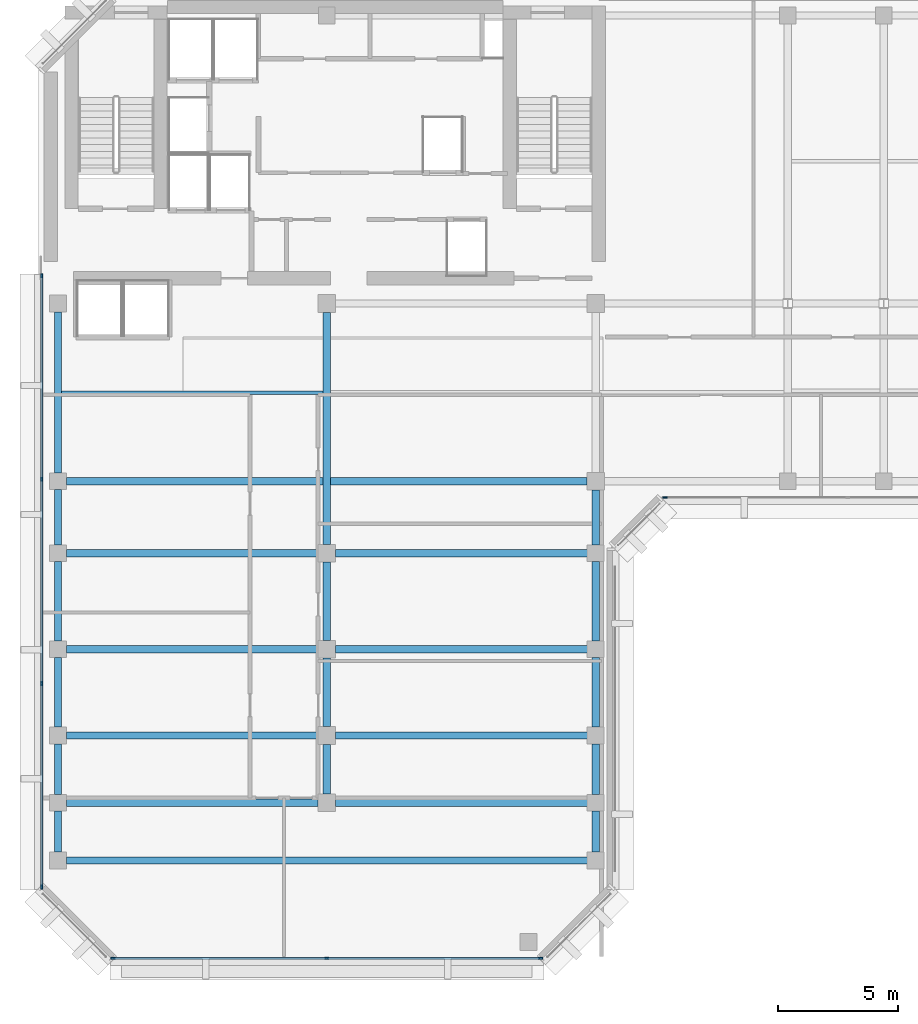
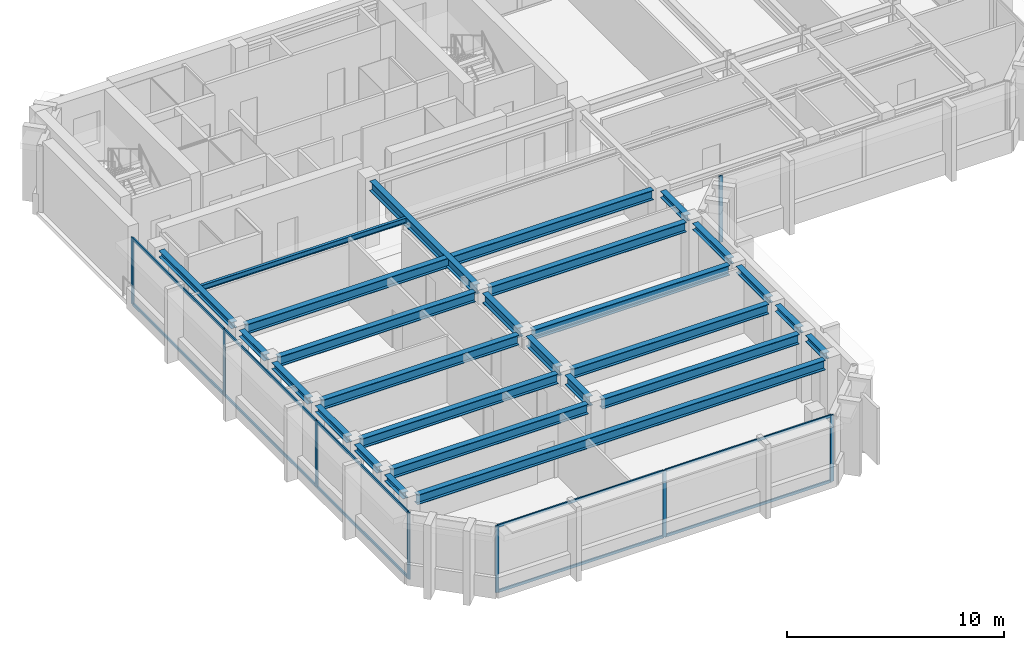
# One storey, part 2 of 11: 26 beams, 18 members, 3 elements without a shape of their own.
"""IFC4 building model written with IfcOpenShell, lengths in metres."""

import ifcopenshell
import ifcopenshell.guid

model = None  # the IFC model being written
_history = None  # IfcOwnerHistory: only IFC2X3 demands one
_inside = {}  # id of a spatial element -> (the spatial element, [elements in it])
_under = {}  # id of a project, library or spatial element -> (it, [spatial elements below it])
_declared = {}  # id of a project -> (the project, [libraries it declares])
_typed = {}  # id of a type object -> (the type object, [elements of that type])
_made_of = {}  # id of a material, layer set ... -> (it, [elements and type objects made of it])


def new_model(schema):
    """Start an empty IFC model of exactly this schema.

    Asked for "IFC4X3", IfcOpenShell would pick the latest addendum, in which some entities
    have other attributes; the version numbers below select the first issue.
    IFC2X3 requires an IfcOwnerHistory on every rooted entity: one is made here for all.
    """
    global model, _history
    if schema == "IFC4X3":
        model = ifcopenshell.file(schema_version=(4, 3, 0, 0))
    else:
        model = ifcopenshell.file(schema=schema)
    _inside.clear()
    _under.clear()
    _declared.clear()
    _typed.clear()
    _made_of.clear()
    _history = None
    if model.schema == "IFC2X3":
        org = make("IfcOrganization", Name="unknown")
        user = make(
            "IfcPersonAndOrganization",
            ThePerson=make("IfcPerson", FamilyName="unknown"),
            TheOrganization=org,
        )
        app = make(
            "IfcApplication",
            ApplicationDeveloper=org,
            Version="unknown",
            ApplicationFullName="unknown",
            ApplicationIdentifier="unknown",
        )
        _history = make(
            "IfcOwnerHistory",
            OwningUser=user,
            OwningApplication=app,
            ChangeAction="ADDED",
            CreationDate=0,
        )
    return model


def make(cls, **values):
    """One entity of the class cls with the attributes given. An attribute that is None is left unset."""
    return model.create_entity(
        cls, **{name: value for name, value in values.items() if value is not None}
    )


def rooted(cls, **values):
    """An entity with a GlobalId (a new one), such as an element, a storey or a relation."""
    return make(cls, GlobalId=ifcopenshell.guid.new(), OwnerHistory=_history, **values)


def si_unit(unit_type, name, prefix=None):
    """IfcSIUnit, for example si_unit("LENGTHUNIT", "METRE", prefix="MILLI")."""
    return make("IfcSIUnit", UnitType=unit_type, Prefix=prefix, Name=name)


def assignment(units):
    """IfcUnitAssignment: the units of a project."""
    return None if units is None else make("IfcUnitAssignment", Units=units)


def point(xyz):
    """IfcCartesianPoint."""
    return None if xyz is None else make("IfcCartesianPoint", Coordinates=xyz)


def direction(xyz):
    """IfcDirection."""
    return None if xyz is None else make("IfcDirection", DirectionRatios=xyz)


def frame(location, z_axis=None, x_axis=None):
    """IfcAxis2Placement3D, a coordinate frame: its origin and axes. An axis left out is left unset."""
    return make(
        "IfcAxis2Placement3D",
        Location=point(location),
        Axis=direction(z_axis),
        RefDirection=direction(x_axis),
    )


def frame_2d(location, x_axis=None):
    """IfcAxis2Placement2D, a coordinate frame in the plane: its origin and x axis."""
    return make(
        "IfcAxis2Placement2D", Location=point(location), RefDirection=direction(x_axis)
    )


def origin():
    """The frame at (0, 0, 0) with its axes left unset."""
    return frame((0.0, 0.0, 0.0))


def origin_2d():
    """The frame at (0, 0) in the plane with its x axis left unset."""
    return frame_2d((0.0, 0.0))


def place(relative_to, where):
    """IfcLocalPlacement: puts the frame where relative to a parent placement (None: the world)."""
    return make(
        "IfcLocalPlacement", PlacementRelTo=relative_to, RelativePlacement=where
    )


def context(
    kind, dimensions, precision=None, world=None, true_north=None, identifier=None
):
    """IfcGeometricRepresentationContext, for example the 3D "Model" context."""
    return make(
        "IfcGeometricRepresentationContext",
        ContextIdentifier=identifier,
        ContextType=kind,
        CoordinateSpaceDimension=dimensions,
        Precision=precision,
        WorldCoordinateSystem=world,
        TrueNorth=true_north,
    )


def subcontext(parent, identifier, kind, view, scale=None):
    """IfcGeometricRepresentationSubContext, for example "Body" below "Model"."""
    return make(
        "IfcGeometricRepresentationSubContext",
        ContextIdentifier=identifier,
        ContextType=kind,
        ParentContext=parent,
        TargetScale=scale,
        TargetView=view,
    )


def project(units=None, contexts=None):
    """IfcProject with its units and contexts."""
    return rooted(
        "IfcProject",
        Name="project",
        RepresentationContexts=contexts,
        UnitsInContext=assignment(units),
    )


def spatial(cls, under=None, at=None, **own):
    """A site, building, storey or space (cls), placed at a placement, below another one or the project."""
    s = rooted(cls, ObjectPlacement=at, **own)
    if under is not None:
        _under.setdefault(under.id(), (under, []))[1].append(s)
    return s


def profile(cls, at=None, kind="AREA", **sizes):
    """A parametric profile (cls). Its sizes go by their IFC names, for example OverallWidth=200.0."""
    return make(cls, ProfileType=kind, Position=at, **sizes)


def rectangle(**sizes):
    """IfcRectangleProfileDef."""
    return profile("IfcRectangleProfileDef", **sizes)


def i_section(**sizes):
    """IfcIShapeProfileDef."""
    return profile("IfcIShapeProfileDef", **sizes)


def extrude(swept, where, along, depth):
    """IfcExtrudedAreaSolid: the profile swept, set in the frame where, extruded along a direction by depth."""
    return make(
        "IfcExtrudedAreaSolid",
        SweptArea=swept,
        Position=where,
        ExtrudedDirection=direction(along),
        Depth=depth,
    )


def shape(context_of_items, identifier, shape_type, items):
    """IfcShapeRepresentation: the items that make up one representation, for example the "Body"."""
    return make(
        "IfcShapeRepresentation",
        ContextOfItems=context_of_items,
        RepresentationIdentifier=identifier,
        RepresentationType=shape_type,
        Items=items,
    )


def material(Name=None, Category=None):
    """IfcMaterial."""
    return make("IfcMaterial", Name=Name, Category=Category)


def layer(
    of_material, thickness, ventilated=None, Name=None, Category=None, Priority=None
):
    """IfcMaterialLayer: one layer of a wall or slab, of a material (None: an air gap)."""
    return make(
        "IfcMaterialLayer",
        Material=of_material,
        LayerThickness=thickness,
        IsVentilated=ventilated,
        Name=Name,
        Category=Category,
        Priority=Priority,
    )


def layer_set(layers, Name=None):
    """IfcMaterialLayerSet."""
    return make("IfcMaterialLayerSet", MaterialLayers=layers, LayerSetName=Name)


def material_profile(
    of_material, cross_section, Name=None, Category=None, Priority=None
):
    """IfcMaterialProfile: a cross section and its material."""
    return make(
        "IfcMaterialProfile",
        Name=Name,
        Material=of_material,
        Profile=cross_section,
        Priority=Priority,
        Category=Category,
    )


def profile_set(profiles, Name=None, composite=None):
    """IfcMaterialProfileSet."""
    return make(
        "IfcMaterialProfileSet",
        Name=Name,
        MaterialProfiles=profiles,
        CompositeProfile=composite,
    )


def made_of(thing, what):
    """Note that an element or type object is made of a material, layer set ...; save() writes the relation."""
    if what is not None:
        _made_of.setdefault(what.id(), (what, []))[1].append(thing)
    return thing


def type_object(cls, material=None, **own):
    """A type object (cls), such as IfcWallType, which elements share."""
    return made_of(rooted(cls, **own), material)


def element(
    cls,
    number,
    at=None,
    inside=None,
    cuts=None,
    type_object=None,
    material=None,
    context=None,
    identifier="Body",
    shape_type=None,
    held_by="IfcProductDefinitionShape",
    body=None,
    shapes=None,
    **own,
):
    """One element of the class cls, such as IfcWall. Its Tag is "e" and its number.

    at: its placement. inside: the storey or other place that contains it. cuts: it is an
    opening in that element (IfcRelVoidsElement). A single representation is given by context,
    identifier, shape_type and body (its items); several are given by shapes. held_by: the class
    of the entity that holds the representations. save() writes the other relations.
    """
    e = rooted(cls, Tag="e%d" % number, ObjectPlacement=at, **own)
    if body is not None:
        shapes = [shape(context, identifier, shape_type, body)]
    if shapes is not None:
        e.Representation = make(held_by, Representations=shapes)
    if inside is not None:
        _inside.setdefault(inside.id(), (inside, []))[1].append(e)
    if cuts is not None:
        rooted(
            "IfcRelVoidsElement", RelatingBuildingElement=cuts, RelatedOpeningElement=e
        )
    if type_object is not None:
        _typed.setdefault(type_object.id(), (type_object, []))[1].append(e)
    return made_of(e, material)


def aggregate(whole, parts):
    """IfcRelAggregates: a whole, such as a stair, and the parts it consists of."""
    return rooted("IfcRelAggregates", RelatingObject=whole, RelatedObjects=parts)


def save(model, path):
    """Write the relations noted so far, then the file.

    IfcRelAggregates (storeys below a building ...), IfcRelContainedInSpatialStructure (elements
    in a storey), IfcRelDefinesByType, IfcRelAssociatesMaterial and IfcRelDeclares: one each for
    every whole, place, type object, material and project.
    """
    for whole, parts in _under.values():
        aggregate(whole, parts)
    for where, things in _inside.values():
        rooted(
            "IfcRelContainedInSpatialStructure",
            RelatedElements=things,
            RelatingStructure=where,
        )
    for kind, things in _typed.values():
        rooted("IfcRelDefinesByType", RelatedObjects=things, RelatingType=kind)
    for what, things in _made_of.values():
        rooted("IfcRelAssociatesMaterial", RelatedObjects=things, RelatingMaterial=what)
    for by, libraries in _declared.values():
        rooted("IfcRelDeclares", RelatingContext=by, RelatedDefinitions=libraries)
    model.write(path)


model = new_model("IFC4")

# Units and contexts
model_context = context("Model", 3, precision=1e-05, world=origin(), true_north=direction((0.0, 1.0)))
body_context = subcontext(model_context, "Body", "Model", "MODEL_VIEW")
ifc_project = project(units=[si_unit("LENGTHUNIT", "METRE"), si_unit("AREAUNIT", "SQUARE_METRE"), si_unit("VOLUMEUNIT", "CUBIC_METRE"), si_unit("PLANEANGLEUNIT", "RADIAN"), si_unit("MASSUNIT", "GRAM", prefix="KILO")], contexts=[model_context])

# Site, building, storey
site_placement = place(None, origin())
site = spatial("IfcSite", under=ifc_project, at=site_placement, CompositionType="ELEMENT")
building_placement = place(site_placement, origin())
building = spatial("IfcBuilding", under=site, at=building_placement, Name="Kefirva Bronze Tower", CompositionType="ELEMENT")
storey_placement = place(building_placement, frame((0.0, 0.0, 307.889892578125)))
storey = spatial("IfcBuildingStorey", under=building, at=storey_placement, Name="L75", CompositionType="ELEMENT", Elevation=307.889892578125)

# Curtain wall, members
ifc_material_1 = material(Name="Bronze anodised aluminium", Category="aluminium")
ifc_layer = layer(ifc_material_1, 0.179931640625, Name="Bronze anodised aluminium")
ifc_layer_set = layer_set([ifc_layer], Name="Bronze anodised aluminium")
curtain_wall_type = type_object("IfcCurtainWallType", Name="Unitised Bronze Ribbon Curtain Wall Zone 4", PredefinedType="USERDEFINED", material=ifc_layer_set)
curtain_wall_1_placement = place(storey_placement, origin())
curtain_wall_1 = element("IfcCurtainWall", 1, at=curtain_wall_1_placement, inside=storey, type_object=curtain_wall_type, Name="L75 Curtain Wall 1", ObjectType="UNITISED CURTAIN WALL", PredefinedType="USERDEFINED")
ifc_material_profile_1 = material_profile(ifc_material_1, rectangle(XDim=0.074951171875, YDim=0.179931640625, at=origin_2d()), Name="ALU 75x180")
ifc_profile_set_1 = profile_set([ifc_material_profile_1], Name="Bronze anodised aluminium")
member_type_1 = type_object("IfcMemberType", Name="Bronze Mullion 75x180", PredefinedType="MULLION", material=ifc_profile_set_1)
member_1_placement = place(storey_placement, frame((3.092529296875, 5.919921875, 0.0), z_axis=(0.0, 0.0, 1.0), x_axis=(0.0, 1.0, 0.0)))
member_1 = element("IfcMember", 2, at=member_1_placement, type_object=member_type_1, Name="CW-04 mullion 1", PredefinedType="MULLION", context=body_context, shape_type="SweptSolid", body=[
    extrude(rectangle(XDim=0.074951171875, YDim=0.179931640625, at=origin_2d()), origin(), (0.0, 0.0, 1.0), 3.739990234375),
])
member_2_placement = place(storey_placement, frame((12.0, 5.919921875, 0.0), z_axis=(0.0, 0.0, 1.0), x_axis=(0.0, 1.0, 0.0)))
member_2 = element("IfcMember", 3, at=member_2_placement, type_object=member_type_1, Name="CW-04 mullion 2", PredefinedType="MULLION", context=body_context, shape_type="SweptSolid", body=[
    extrude(rectangle(XDim=0.074951171875, YDim=0.179931640625, at=origin_2d()), origin(), (0.0, 0.0, 1.0), 3.739990234375),
])
member_3_placement = place(storey_placement, frame((20.907470703125, 5.919921875, 0.0), z_axis=(0.0, 0.0, 1.0), x_axis=(0.0, 1.0, 0.0)))
member_3 = element("IfcMember", 4, at=member_3_placement, type_object=member_type_1, Name="CW-04 mullion 3", PredefinedType="MULLION", context=body_context, shape_type="SweptSolid", body=[
    extrude(rectangle(XDim=0.074951171875, YDim=0.179931640625, at=origin_2d()), origin(), (0.0, 0.0, 1.0), 3.739990234375),
])

# Curtain wall, member
curtain_wall_2_placement = place(storey_placement, origin())
curtain_wall_2 = element("IfcCurtainWall", 5, at=curtain_wall_2_placement, inside=storey, type_object=curtain_wall_type, Name="L75 Curtain Wall 2", ObjectType="UNITISED CURTAIN WALL", PredefinedType="USERDEFINED")
member_4_placement = place(storey_placement, frame((26.092529296875, 25.1201171875, 0.0), z_axis=(0.0, 0.0, 1.0), x_axis=(0.0, 1.0, 0.0)))
member_4 = element("IfcMember", 6, at=member_4_placement, type_object=member_type_1, Name="CW-04 mullion 1", PredefinedType="MULLION", context=body_context, shape_type="SweptSolid", body=[
    extrude(rectangle(XDim=0.074951171875, YDim=0.179931640625, at=origin_2d()), origin(), (0.0, 0.0, 1.0), 3.739990234375),
])
aggregate(curtain_wall_2, [member_4])

# Curtain wall, members
curtain_wall_3_placement = place(storey_placement, origin())
curtain_wall_3 = element("IfcCurtainWall", 7, at=curtain_wall_3_placement, inside=storey, type_object=curtain_wall_type, Name="L75 Curtain Wall 5", ObjectType="UNITISED CURTAIN WALL", PredefinedType="USERDEFINED")
member_5_placement = place(storey_placement, frame((0.1201171875, 34.357421875, 0.0), z_axis=(0.0, 0.0, 1.0), x_axis=(1.0, 0.0, 0.0)))
member_5 = element("IfcMember", 8, at=member_5_placement, type_object=member_type_1, Name="CW-04 mullion 1", PredefinedType="MULLION", context=body_context, shape_type="SweptSolid", body=[
    extrude(rectangle(XDim=0.074951171875, YDim=0.179931640625, at=origin_2d()), origin(), (0.0, 0.0, 1.0), 3.739990234375),
])
member_6_placement = place(storey_placement, frame((0.1201171875, 25.881591796875, 0.0), z_axis=(0.0, 0.0, 1.0), x_axis=(1.0, 0.0, 0.0)))
member_6 = element("IfcMember", 9, at=member_6_placement, type_object=member_type_1, Name="CW-04 mullion 2", PredefinedType="MULLION", context=body_context, shape_type="SweptSolid", body=[
    extrude(rectangle(XDim=0.074951171875, YDim=0.179931640625, at=origin_2d()), origin(), (0.0, 0.0, 1.0), 3.739990234375),
])
member_7_placement = place(storey_placement, frame((0.1201171875, 17.368408203125, 0.0), z_axis=(0.0, 0.0, 1.0), x_axis=(1.0, 0.0, 0.0)))
member_7 = element("IfcMember", 10, at=member_7_placement, type_object=member_type_1, Name="CW-04 mullion 3", PredefinedType="MULLION", context=body_context, shape_type="SweptSolid", body=[
    extrude(rectangle(XDim=0.074951171875, YDim=0.179931640625, at=origin_2d()), origin(), (0.0, 0.0, 1.0), 3.739990234375),
])
member_8_placement = place(storey_placement, frame((0.1201171875, 8.892578125, 0.0), z_axis=(0.0, 0.0, 1.0), x_axis=(1.0, 0.0, 0.0)))
member_8 = element("IfcMember", 11, at=member_8_placement, type_object=member_type_1, Name="CW-04 mullion 4", PredefinedType="MULLION", context=body_context, shape_type="SweptSolid", body=[
    extrude(rectangle(XDim=0.074951171875, YDim=0.179931640625, at=origin_2d()), origin(), (0.0, 0.0, 1.0), 3.739990234375),
])

# Member
ifc_material_profile_2 = material_profile(ifc_material_1, rectangle(XDim=0.074951171875, YDim=0.14990234375, at=origin_2d()), Name="ALU 75x150")
ifc_profile_set_2 = profile_set([ifc_material_profile_2], Name="Bronze anodised aluminium")
member_type_2 = type_object("IfcMemberType", Name="Bronze Transom 75x150", PredefinedType="USERDEFINED", material=ifc_profile_set_2)
member_9_placement = place(storey_placement, frame((3.1298828125, 5.919921875, 0.03759765625), z_axis=(1.0, 0.0, 0.0), x_axis=(0.0, 1.0, 0.0)))
member_9 = element("IfcMember", 12, at=member_9_placement, type_object=member_type_2, Name="CW-04 transom 1.1", ObjectType="TRANSOM", PredefinedType="USERDEFINED", context=body_context, shape_type="SweptSolid", body=[
    extrude(rectangle(XDim=0.074951171875, YDim=0.14990234375, at=origin_2d()), origin(), (0.0, 0.0, 1.0), 8.83251953125),
])

member_10_placement = place(storey_placement, frame((3.1298828125, 5.919921875, 3.70263671875), z_axis=(1.0, 0.0, 0.0), x_axis=(0.0, 1.0, 0.0)))
member_10 = element("IfcMember", 13, at=member_10_placement, type_object=member_type_2, Name="CW-04 transom 1.2", ObjectType="TRANSOM", PredefinedType="USERDEFINED", context=body_context, shape_type="SweptSolid", body=[
    extrude(rectangle(XDim=0.074951171875, YDim=0.14990234375, at=origin_2d()), origin(), (0.0, 0.0, 1.0), 8.83251953125),
])

member_11_placement = place(storey_placement, frame((12.03759765625, 5.919921875, 0.03759765625), z_axis=(1.0, 0.0, 0.0), x_axis=(0.0, 1.0, 0.0)))
member_11 = element("IfcMember", 14, at=member_11_placement, type_object=member_type_2, Name="CW-04 transom 2.1", ObjectType="TRANSOM", PredefinedType="USERDEFINED", context=body_context, shape_type="SweptSolid", body=[
    extrude(rectangle(XDim=0.074951171875, YDim=0.14990234375, at=origin_2d()), origin(), (0.0, 0.0, 1.0), 8.83251953125),
])

member_12_placement = place(storey_placement, frame((12.03759765625, 5.919921875, 3.70263671875), z_axis=(1.0, 0.0, 0.0), x_axis=(0.0, 1.0, 0.0)))
member_12 = element("IfcMember", 15, at=member_12_placement, type_object=member_type_2, Name="CW-04 transom 2.2", ObjectType="TRANSOM", PredefinedType="USERDEFINED", context=body_context, shape_type="SweptSolid", body=[
    extrude(rectangle(XDim=0.074951171875, YDim=0.14990234375, at=origin_2d()), origin(), (0.0, 0.0, 1.0), 8.83251953125),
])

aggregate(curtain_wall_1, [member_1, member_2, member_3, member_9, member_10, member_11, member_12])

member_13_placement = place(storey_placement, frame((0.1201171875, 34.320068359375, 0.03759765625), z_axis=(0.0, -1.0, 0.0), x_axis=(1.0, 0.0, 0.0)))
member_13 = element("IfcMember", 16, at=member_13_placement, type_object=member_type_2, Name="CW-04 transom 1.1", ObjectType="TRANSOM", PredefinedType="USERDEFINED", context=body_context, shape_type="SweptSolid", body=[
    extrude(rectangle(XDim=0.074951171875, YDim=0.14990234375, at=origin_2d()), origin(), (0.0, 0.0, 1.0), 8.40087890625),
])

member_14_placement = place(storey_placement, frame((0.1201171875, 34.320068359375, 3.70263671875), z_axis=(0.0, -1.0, 0.0), x_axis=(1.0, 0.0, 0.0)))
member_14 = element("IfcMember", 17, at=member_14_placement, type_object=member_type_2, Name="CW-04 transom 1.2", ObjectType="TRANSOM", PredefinedType="USERDEFINED", context=body_context, shape_type="SweptSolid", body=[
    extrude(rectangle(XDim=0.074951171875, YDim=0.14990234375, at=origin_2d()), origin(), (0.0, 0.0, 1.0), 8.40087890625),
])

member_15_placement = place(storey_placement, frame((0.1201171875, 25.84423828125, 0.03759765625), z_axis=(0.0, -1.0, 0.0), x_axis=(1.0, 0.0, 0.0)))
member_15 = element("IfcMember", 18, at=member_15_placement, type_object=member_type_2, Name="CW-04 transom 2.1", ObjectType="TRANSOM", PredefinedType="USERDEFINED", context=body_context, shape_type="SweptSolid", body=[
    extrude(rectangle(XDim=0.074951171875, YDim=0.14990234375, at=origin_2d()), origin(), (0.0, 0.0, 1.0), 8.4384765625),
])

member_16_placement = place(storey_placement, frame((0.1201171875, 25.84423828125, 3.70263671875), z_axis=(0.0, -1.0, 0.0), x_axis=(1.0, 0.0, 0.0)))
member_16 = element("IfcMember", 19, at=member_16_placement, type_object=member_type_2, Name="CW-04 transom 2.2", ObjectType="TRANSOM", PredefinedType="USERDEFINED", context=body_context, shape_type="SweptSolid", body=[
    extrude(rectangle(XDim=0.074951171875, YDim=0.14990234375, at=origin_2d()), origin(), (0.0, 0.0, 1.0), 8.4384765625),
])

member_17_placement = place(storey_placement, frame((0.1201171875, 17.330810546875, 0.03759765625), z_axis=(0.0, -1.0, 0.0), x_axis=(1.0, 0.0, 0.0)))
member_17 = element("IfcMember", 20, at=member_17_placement, type_object=member_type_2, Name="CW-04 transom 3.1", ObjectType="TRANSOM", PredefinedType="USERDEFINED", context=body_context, shape_type="SweptSolid", body=[
    extrude(rectangle(XDim=0.074951171875, YDim=0.14990234375, at=origin_2d()), origin(), (0.0, 0.0, 1.0), 8.40087890625),
])

member_18_placement = place(storey_placement, frame((0.1201171875, 17.330810546875, 3.70263671875), z_axis=(0.0, -1.0, 0.0), x_axis=(1.0, 0.0, 0.0)))
member_18 = element("IfcMember", 21, at=member_18_placement, type_object=member_type_2, Name="CW-04 transom 3.2", ObjectType="TRANSOM", PredefinedType="USERDEFINED", context=body_context, shape_type="SweptSolid", body=[
    extrude(rectangle(XDim=0.074951171875, YDim=0.14990234375, at=origin_2d()), origin(), (0.0, 0.0, 1.0), 8.40087890625),
])

aggregate(curtain_wall_3, [member_5, member_6, member_7, member_8, member_13, member_14, member_15, member_16, member_17, member_18])

# Beams
ifc_material_2 = material(Name="Steel S355", Category="steel")
ifc_material_profile_3 = material_profile(ifc_material_2, i_section(OverallWidth=0.14990234375, OverallDepth=0.300048828125, WebThickness=0.007080078125, FlangeThickness=0.0107421875, at=origin_2d()), Name="IPE 300")
ifc_profile_set_3 = profile_set([ifc_material_profile_3], Name="Steel S355")
beam_type_1 = type_object("IfcBeamType", Name="Steel Floor Joist IPE 300", PredefinedType="JOIST", material=ifc_profile_set_3)
beam_1_placement = place(storey_placement, frame((0.949951171875, 29.489990234375, 3.590087890625), z_axis=(1.0, 0.0, 0.0), x_axis=(0.0, 1.0, 0.0)))
element("IfcBeam", 22, at=beam_1_placement, inside=storey, type_object=beam_type_1, Name="L75 JST-L75-0-294", PredefinedType="JOIST", context=body_context, shape_type="SweptSolid", body=[
    extrude(i_section(OverallWidth=0.14990234375, OverallDepth=0.300048828125, WebThickness=0.007080078125, FlangeThickness=0.0107421875, at=origin_2d()), origin(), (0.0, 0.0, 1.0), 10.900146484375),
])
ifc_material_profile_4 = material_profile(ifc_material_2, i_section(OverallWidth=0.300048828125, OverallDepth=0.550048828125, WebThickness=0.014892578125, FlangeThickness=0.029052734375, at=origin_2d()), Name="HEB 550")
ifc_profile_set_4 = profile_set([ifc_material_profile_4], Name="Steel S355")
beam_type_2 = type_object("IfcBeamType", Name="Steel Girder HEB 550", PredefinedType="USERDEFINED", material=ifc_profile_set_4)
beam_2_placement = place(storey_placement, frame((1.14990234375, 10.0, 3.465087890625), z_axis=(1.0, 0.0, 0.0), x_axis=(0.0, 1.0, 0.0)))
element("IfcBeam", 23, at=beam_2_placement, inside=storey, type_object=beam_type_2, Name="L75 BM-L75-EW-0-100", ObjectType="GIRDER", PredefinedType="USERDEFINED", context=body_context, shape_type="SweptSolid", body=[
    extrude(i_section(OverallWidth=0.300048828125, OverallDepth=0.550048828125, WebThickness=0.014892578125, FlangeThickness=0.029052734375, at=origin_2d()), origin(), (0.0, 0.0, 1.0), 21.7001953125),
])
for number, where, z_axis, x_axis, name in (
    (24, (1.14990234375, 12.39990234375, 3.465087890625), (1.0, 0.0, 0.0), (0.0, 1.0, 0.0), "L75 BM-L75-EW-0-124"),
    (25, (12.3701171875, 12.39990234375, 3.465087890625), (1.0, 0.0, 0.0), (0.0, 1.0, 0.0), "L75 BM-L75-EW-12-124"),
    (26, (1.14990234375, 15.199951171875, 3.465087890625), (1.0, 0.0, 0.0), (0.0, 1.0, 0.0), "L75 BM-L75-EW-0-152"),
    (27, (12.3701171875, 15.199951171875, 3.465087890625), (1.0, 0.0, 0.0), (0.0, 1.0, 0.0), "L75 BM-L75-EW-12-152"),
    (28, (1.14990234375, 18.800048828125, 3.465087890625), (1.0, 0.0, 0.0), (0.0, 1.0, 0.0), "L75 BM-L75-EW-0-188"),
    (29, (12.3701171875, 18.800048828125, 3.465087890625), (1.0, 0.0, 0.0), (0.0, 1.0, 0.0), "L75 BM-L75-EW-12-188"),
    (30, (1.14990234375, 22.800048828125, 3.465087890625), (1.0, 0.0, 0.0), (0.0, 1.0, 0.0), "L75 BM-L75-EW-0-228"),
    (31, (12.3701171875, 22.800048828125, 3.465087890625), (1.0, 0.0, 0.0), (0.0, 1.0, 0.0), "L75 BM-L75-EW-12-228"),
):
    element("IfcBeam", number, at=place(storey_placement, frame(where, z_axis=z_axis, x_axis=x_axis)), inside=storey, type_object=beam_type_2, Name=name, ObjectType="GIRDER", PredefinedType="USERDEFINED", context=body_context, shape_type="SweptSolid", body=[
        extrude(i_section(OverallWidth=0.300048828125, OverallDepth=0.550048828125, WebThickness=0.014892578125, FlangeThickness=0.029052734375, at=origin_2d()), origin(), (0.0, 0.0, 1.0), 10.47998046875),
    ])
beam_3_placement = place(storey_placement, frame((1.14990234375, 25.800048828125, 3.465087890625), z_axis=(1.0, 0.0, 0.0), x_axis=(0.0, 1.0, 0.0)))
element("IfcBeam", 32, at=beam_3_placement, inside=storey, type_object=beam_type_2, Name="L75 BM-L75-EW-0-258", ObjectType="GIRDER", PredefinedType="USERDEFINED", context=body_context, shape_type="SweptSolid", body=[
    extrude(i_section(OverallWidth=0.300048828125, OverallDepth=0.550048828125, WebThickness=0.014892578125, FlangeThickness=0.029052734375, at=origin_2d()), origin(), (0.0, 0.0, 1.0), 21.68017578125),
])
beam_4_placement = place(storey_placement, frame((12.0, 12.77001953125, 3.465087890625), z_axis=(0.0, 1.0, 0.0), x_axis=(-1.0, 0.0, 0.0)))
element("IfcBeam", 33, at=beam_4_placement, inside=storey, type_object=beam_type_2, Name="L75 BM-L75-NS-120-12", ObjectType="GIRDER", PredefinedType="USERDEFINED", context=body_context, shape_type="SweptSolid", body=[
    extrude(i_section(OverallWidth=0.300048828125, OverallDepth=0.550048828125, WebThickness=0.014892578125, FlangeThickness=0.029052734375, at=origin_2d()), origin(), (0.0, 0.0, 1.0), 2.06005859375),
])
beam_5_placement = place(storey_placement, frame((12.0, 15.570068359375, 3.465087890625), z_axis=(0.0, 1.0, 0.0), x_axis=(-1.0, 0.0, 0.0)))
element("IfcBeam", 34, at=beam_5_placement, inside=storey, type_object=beam_type_2, Name="L75 BM-L75-NS-120-15", ObjectType="GIRDER", PredefinedType="USERDEFINED", context=body_context, shape_type="SweptSolid", body=[
    extrude(i_section(OverallWidth=0.300048828125, OverallDepth=0.550048828125, WebThickness=0.014892578125, FlangeThickness=0.029052734375, at=origin_2d()), origin(), (0.0, 0.0, 1.0), 2.85986328125),
])
beam_6_placement = place(storey_placement, frame((12.0, 19.169921875, 3.465087890625), z_axis=(0.0, 1.0, 0.0), x_axis=(-1.0, 0.0, 0.0)))
element("IfcBeam", 35, at=beam_6_placement, inside=storey, type_object=beam_type_2, Name="L75 BM-L75-NS-120-18", ObjectType="GIRDER", PredefinedType="USERDEFINED", context=body_context, shape_type="SweptSolid", body=[
    extrude(i_section(OverallWidth=0.300048828125, OverallDepth=0.550048828125, WebThickness=0.014892578125, FlangeThickness=0.029052734375, at=origin_2d()), origin(), (0.0, 0.0, 1.0), 3.260009765625),
])
beam_7_placement = place(storey_placement, frame((12.0, 23.169921875, 3.465087890625), z_axis=(0.0, 1.0, 0.0), x_axis=(-1.0, 0.0, 0.0)))
element("IfcBeam", 36, at=beam_7_placement, inside=storey, type_object=beam_type_2, Name="L75 BM-L75-NS-120-22", ObjectType="GIRDER", PredefinedType="USERDEFINED", context=body_context, shape_type="SweptSolid", body=[
    extrude(i_section(OverallWidth=0.300048828125, OverallDepth=0.550048828125, WebThickness=0.014892578125, FlangeThickness=0.029052734375, at=origin_2d()), origin(), (0.0, 0.0, 1.0), 9.66015625),
])
ifc_material_profile_5 = material_profile(ifc_material_2, i_section(OverallWidth=0.300048828125, OverallDepth=0.360107421875, WebThickness=0.012451171875, FlangeThickness=0.0224609375, at=origin_2d()), Name="HEB 360")
ifc_profile_set_5 = profile_set([ifc_material_profile_5], Name="Steel S355")
beam_type_3 = type_object("IfcBeamType", Name="Steel Spandrel HEB 360 Ext", PredefinedType="SPANDREL", material=ifc_profile_set_5)
beam_8_placement = place(storey_placement, frame((0.800048828125, 10.35009765625, 3.56005859375), z_axis=(0.0, 1.0, 0.0), x_axis=(-1.0, 0.0, 0.0)))
element("IfcBeam", 37, at=beam_8_placement, inside=storey, type_object=beam_type_3, Name="L75 BM-L75-NS-8-10", PredefinedType="SPANDREL", context=body_context, shape_type="SweptSolid", body=[
    extrude(i_section(OverallWidth=0.300048828125, OverallDepth=0.360107421875, WebThickness=0.012451171875, FlangeThickness=0.0224609375, at=origin_2d()), origin(), (0.0, 0.0, 1.0), 1.699951171875),
])
beam_9_placement = place(storey_placement, frame((0.800048828125, 12.75, 3.56005859375), z_axis=(0.0, 1.0, 0.0), x_axis=(-1.0, 0.0, 0.0)))
element("IfcBeam", 38, at=beam_9_placement, inside=storey, type_object=beam_type_3, Name="L75 BM-L75-NS-8-12", PredefinedType="SPANDREL", context=body_context, shape_type="SweptSolid", body=[
    extrude(i_section(OverallWidth=0.300048828125, OverallDepth=0.360107421875, WebThickness=0.012451171875, FlangeThickness=0.0224609375, at=origin_2d()), origin(), (0.0, 0.0, 1.0), 2.10009765625),
])
beam_10_placement = place(storey_placement, frame((0.800048828125, 15.550048828125, 3.56005859375), z_axis=(0.0, 1.0, 0.0), x_axis=(-1.0, 0.0, 0.0)))
element("IfcBeam", 39, at=beam_10_placement, inside=storey, type_object=beam_type_3, Name="L75 BM-L75-NS-8-15", PredefinedType="SPANDREL", context=body_context, shape_type="SweptSolid", body=[
    extrude(i_section(OverallWidth=0.300048828125, OverallDepth=0.360107421875, WebThickness=0.012451171875, FlangeThickness=0.0224609375, at=origin_2d()), origin(), (0.0, 0.0, 1.0), 2.89990234375),
])
beam_11_placement = place(storey_placement, frame((0.800048828125, 19.14990234375, 3.56005859375), z_axis=(0.0, 1.0, 0.0), x_axis=(-1.0, 0.0, 0.0)))
element("IfcBeam", 40, at=beam_11_placement, inside=storey, type_object=beam_type_3, Name="L75 BM-L75-NS-8-18", PredefinedType="SPANDREL", context=body_context, shape_type="SweptSolid", body=[
    extrude(i_section(OverallWidth=0.300048828125, OverallDepth=0.360107421875, WebThickness=0.012451171875, FlangeThickness=0.0224609375, at=origin_2d()), origin(), (0.0, 0.0, 1.0), 3.300048828125),
])
beam_12_placement = place(storey_placement, frame((0.800048828125, 23.14990234375, 3.56005859375), z_axis=(0.0, 1.0, 0.0), x_axis=(-1.0, 0.0, 0.0)))
element("IfcBeam", 41, at=beam_12_placement, inside=storey, type_object=beam_type_3, Name="L75 BM-L75-NS-8-22", PredefinedType="SPANDREL", context=body_context, shape_type="SweptSolid", body=[
    extrude(i_section(OverallWidth=0.300048828125, OverallDepth=0.360107421875, WebThickness=0.012451171875, FlangeThickness=0.0224609375, at=origin_2d()), origin(), (0.0, 0.0, 1.0), 2.300048828125),
])
beam_13_placement = place(storey_placement, frame((0.800048828125, 26.14990234375, 3.56005859375), z_axis=(0.0, 1.0, 0.0), x_axis=(-1.0, 0.0, 0.0)))
element("IfcBeam", 42, at=beam_13_placement, inside=storey, type_object=beam_type_3, Name="L75 BM-L75-NS-8-25", PredefinedType="SPANDREL", context=body_context, shape_type="SweptSolid", body=[
    extrude(i_section(OverallWidth=0.300048828125, OverallDepth=0.360107421875, WebThickness=0.012451171875, FlangeThickness=0.0224609375, at=origin_2d()), origin(), (0.0, 0.0, 1.0), 6.7001953125),
])
beam_14_placement = place(storey_placement, frame((23.199951171875, 10.35009765625, 3.56005859375), z_axis=(0.0, 1.0, 0.0), x_axis=(-1.0, 0.0, 0.0)))
element("IfcBeam", 43, at=beam_14_placement, inside=storey, type_object=beam_type_3, Name="L75 BM-L75-NS-232-10", PredefinedType="SPANDREL", context=body_context, shape_type="SweptSolid", body=[
    extrude(i_section(OverallWidth=0.300048828125, OverallDepth=0.360107421875, WebThickness=0.012451171875, FlangeThickness=0.0224609375, at=origin_2d()), origin(), (0.0, 0.0, 1.0), 1.699951171875),
])
beam_15_placement = place(storey_placement, frame((23.199951171875, 12.75, 3.56005859375), z_axis=(0.0, 1.0, 0.0), x_axis=(-1.0, 0.0, 0.0)))
element("IfcBeam", 44, at=beam_15_placement, inside=storey, type_object=beam_type_3, Name="L75 BM-L75-NS-232-12", PredefinedType="SPANDREL", context=body_context, shape_type="SweptSolid", body=[
    extrude(i_section(OverallWidth=0.300048828125, OverallDepth=0.360107421875, WebThickness=0.012451171875, FlangeThickness=0.0224609375, at=origin_2d()), origin(), (0.0, 0.0, 1.0), 2.10009765625),
])
beam_16_placement = place(storey_placement, frame((23.199951171875, 15.550048828125, 3.56005859375), z_axis=(0.0, 1.0, 0.0), x_axis=(-1.0, 0.0, 0.0)))
element("IfcBeam", 45, at=beam_16_placement, inside=storey, type_object=beam_type_3, Name="L75 BM-L75-NS-232-15", PredefinedType="SPANDREL", context=body_context, shape_type="SweptSolid", body=[
    extrude(i_section(OverallWidth=0.300048828125, OverallDepth=0.360107421875, WebThickness=0.012451171875, FlangeThickness=0.0224609375, at=origin_2d()), origin(), (0.0, 0.0, 1.0), 2.89990234375),
])
beam_17_placement = place(storey_placement, frame((23.199951171875, 19.14990234375, 3.56005859375), z_axis=(0.0, 1.0, 0.0), x_axis=(-1.0, 0.0, 0.0)))
element("IfcBeam", 46, at=beam_17_placement, inside=storey, type_object=beam_type_3, Name="L75 BM-L75-NS-232-18", PredefinedType="SPANDREL", context=body_context, shape_type="SweptSolid", body=[
    extrude(i_section(OverallWidth=0.300048828125, OverallDepth=0.360107421875, WebThickness=0.012451171875, FlangeThickness=0.0224609375, at=origin_2d()), origin(), (0.0, 0.0, 1.0), 3.300048828125),
])
beam_18_placement = place(storey_placement, frame((23.199951171875, 23.14990234375, 3.56005859375), z_axis=(0.0, 1.0, 0.0), x_axis=(-1.0, 0.0, 0.0)))
element("IfcBeam", 47, at=beam_18_placement, inside=storey, type_object=beam_type_3, Name="L75 BM-L75-NS-232-22", PredefinedType="SPANDREL", context=body_context, shape_type="SweptSolid", body=[
    extrude(i_section(OverallWidth=0.300048828125, OverallDepth=0.360107421875, WebThickness=0.012451171875, FlangeThickness=0.0224609375, at=origin_2d()), origin(), (0.0, 0.0, 1.0), 2.280029296875),
])

save(model, "model.ifc")
